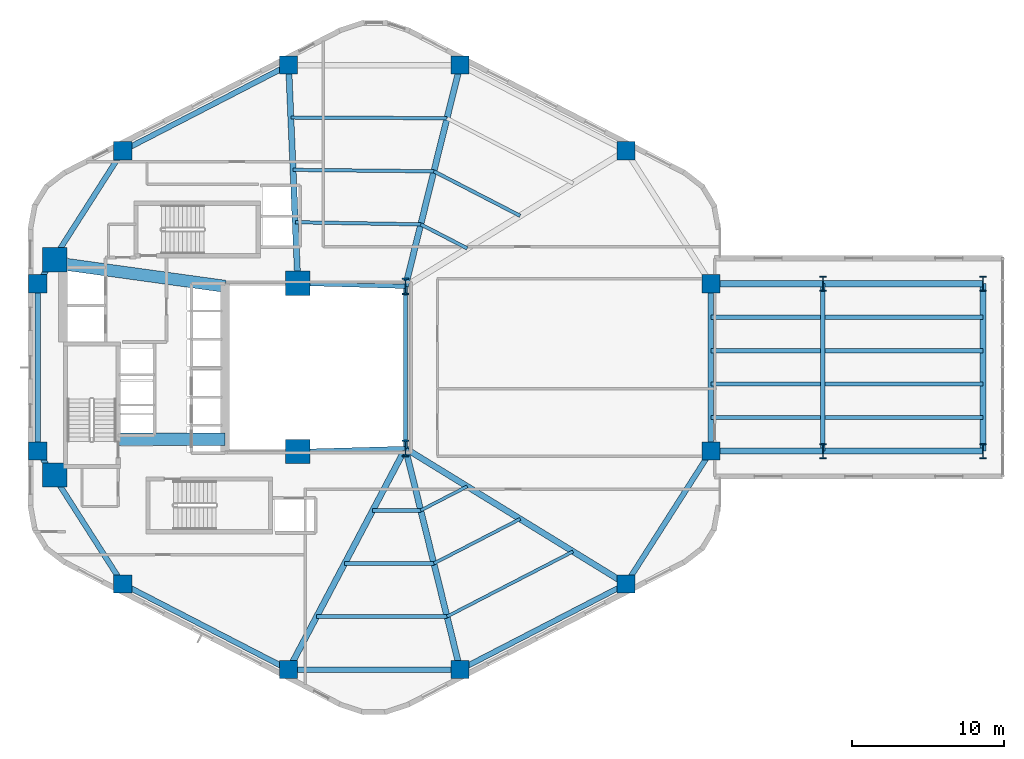
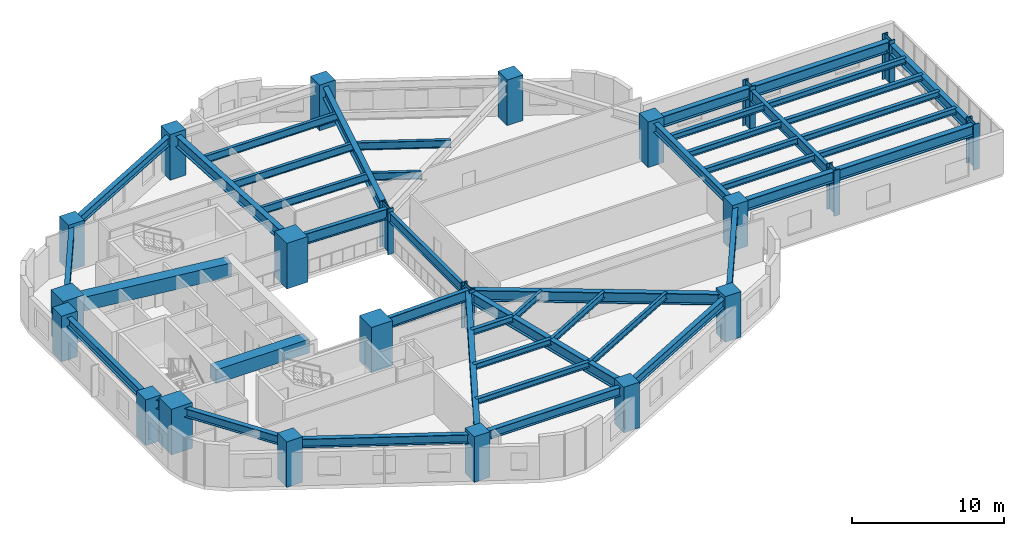
# One storey, part 1 of 10: 44 beams, 22 columns.
"""IFC4 building model written with IfcOpenShell, lengths in metres."""

from ifc_helpers import new_model, si_unit, direction, frame, origin, origin_2d, place, context, subcontext, project, spatial, rectangle, i_section, extrude, material, material_profile, profile_set, type_object, element, save


model = new_model("IFC4")

# Units and contexts
model_context = context("Model", 3, precision=1e-05, world=origin(), true_north=direction((0.0, 1.0)))
body_context = subcontext(model_context, "Body", "Model", "MODEL_VIEW")
ifc_project = project(units=[si_unit("LENGTHUNIT", "METRE"), si_unit("AREAUNIT", "SQUARE_METRE"), si_unit("VOLUMEUNIT", "CUBIC_METRE"), si_unit("PLANEANGLEUNIT", "RADIAN"), si_unit("MASSUNIT", "GRAM", prefix="KILO"), si_unit("THERMODYNAMICTEMPERATUREUNIT", "KELVIN"), si_unit("POWERUNIT", "WATT")], contexts=[model_context])

# Site, building, storey
site_placement = place(None, origin())
site = spatial("IfcSite", under=ifc_project, at=site_placement, CompositionType="ELEMENT")
building_placement = place(site_placement, origin())
building = spatial("IfcBuilding", under=site, at=building_placement, Name="Skarre Station Tower", CompositionType="ELEMENT")
storey_placement = place(building_placement, frame((0.0, 0.0, 59.85009765625)))
storey = spatial("IfcBuildingStorey", under=building, at=storey_placement, Name="L15", CompositionType="ELEMENT", Elevation=59.85009765625)

# Columns
ifc_material_1 = material(Name="Concrete C60/75", Category="concrete")
ifc_material_profile_1 = material_profile(ifc_material_1, rectangle(XDim=1.199951171875, YDim=1.199951171875, at=origin_2d()), Name="Concrete C60/75")
ifc_profile_set_1 = profile_set([ifc_material_profile_1], Name="Concrete C60/75")
column_type_1 = type_object("IfcColumnType", Name="RC Structural Column RC-COL-1200X1200", PredefinedType="COLUMN", material=ifc_profile_set_1)
for number, where, z_axis, x_axis, name in (
    (1, (54.007080078125, 38.298095703125, 0.0), (0.0, 0.0, 1.0), (1.0, 0.0, 0.0), "L15 Zone 1 Perimeter Column F0C1"),
    (2, (43.06005859375, 43.947021484375, 0.0), (0.0, 0.0, 1.0), (1.0, 0.0, 0.0), "L15 Zone 1 Perimeter Column F0C2"),
    (3, (31.739990234375, 43.947021484375, 0.0), (0.0, 0.0, 1.0), (1.0, 0.0, 0.0), "L15 Zone 1 Perimeter Column F1C1"),
    (4, (20.79296875, 38.298095703125, 0.0), (0.0, 0.0, 1.0), (1.0, 0.0, 0.0), "L15 Zone 1 Perimeter Column F1C2"),
    (5, (15.18701171875, 29.52099609375, 0.0), (0.0, 0.0, 1.0), (1.0, 0.0, 0.0), "L15 Zone 1 Perimeter Column F2C1"),
    (6, (15.18701171875, 18.47900390625, 0.0), (0.0, 0.0, 1.0), (1.0, 0.0, 0.0), "L15 Zone 1 Perimeter Column F2C2"),
    (7, (20.79296875, 9.701904296875, 0.0), (0.0, 0.0, 1.0), (1.0, 0.0, 0.0), "L15 Zone 1 Perimeter Column F3C1"),
    (8, (31.739990234375, 4.052978515625, 0.0), (0.0, 0.0, 1.0), (1.0, 0.0, 0.0), "L15 Zone 1 Perimeter Column F3C2"),
    (9, (43.06005859375, 4.052978515625, 0.0), (0.0, 0.0, 1.0), (1.0, 0.0, 0.0), "L15 Zone 1 Perimeter Column F4C1"),
    (10, (54.007080078125, 9.701904296875, 0.0), (0.0, 0.0, 1.0), (1.0, 0.0, 0.0), "L15 Zone 1 Perimeter Column F4C2"),
    (11, (59.613037109375, 18.47900390625, 0.0), (0.0, 0.0, 1.0), (1.0, 0.0, 0.0), "L15 Zone 1 Perimeter Column F5C1"),
    (12, (59.613037109375, 29.52099609375, 0.0), (0.0, 0.0, 1.0), (1.0, 0.0, 0.0), "L15 Zone 1 Perimeter Column F5C2"),
):
    element("IfcColumn", number, at=place(storey_placement, frame(where, z_axis=z_axis, x_axis=x_axis)), inside=storey, type_object=column_type_1, Name=name, PredefinedType="COLUMN", context=body_context, shape_type="SweptSolid", body=[
        extrude(rectangle(XDim=1.199951171875, YDim=1.199951171875, at=origin_2d()), origin(), (0.0, 0.0, 1.0), 3.64990234375),
    ])
ifc_material_2 = material(Name="Concrete C70/85", Category="concrete")
ifc_material_profile_2 = material_profile(ifc_material_2, rectangle(XDim=1.60009765625, YDim=1.60009765625, at=origin_2d()), Name="Concrete C70/85")
ifc_profile_set_2 = profile_set([ifc_material_profile_2], Name="Concrete C70/85")
column_type_2 = type_object("IfcColumnType", Name="RC Structural Column RC-COL-1600X1600", PredefinedType="COLUMN", material=ifc_profile_set_2)
for number, where, z_axis, x_axis, name in (
    (13, (16.300048828125, 16.89990234375, 0.0), (0.0, 0.0, 1.0), (1.0, 0.0, 0.0), "L15 Core Column CC-SW"),
    (14, (16.300048828125, 31.10009765625, 0.0), (0.0, 0.0, 1.0), (1.0, 0.0, 0.0), "L15 Core Column CC-NW"),
    (15, (32.35009765625, 18.449951171875, 0.0), (0.0, 0.0, 1.0), (1.0, 0.0, 0.0), "L15 Core Column CC-SE"),
    (16, (32.35009765625, 29.550048828125, 0.0), (0.0, 0.0, 1.0), (1.0, 0.0, 0.0), "L15 Core Column CC-NE"),
):
    element("IfcColumn", number, at=place(storey_placement, frame(where, z_axis=z_axis, x_axis=x_axis)), inside=storey, type_object=column_type_2, Name=name, PredefinedType="COLUMN", context=body_context, shape_type="SweptSolid", body=[
        extrude(rectangle(XDim=1.60009765625, YDim=1.60009765625, at=origin_2d()), origin(), (0.0, 0.0, 1.0), 3.64990234375),
    ])
ifc_material_3 = material(Name="Steel ASTM A913 Grade 65", Category="steel")
ifc_material_profile_3 = material_profile(ifc_material_3, i_section(OverallWidth=0.430908203125, OverallDepth=0.987060546875, WebThickness=0.033935546875, FlangeThickness=0.06201171875, at=origin_2d()), Name="Steel ASTM A913 Grade 65")
ifc_profile_set_3 = profile_set([ifc_material_profile_3], Name="Steel ASTM A913 Grade 65")
column_type_3 = type_object("IfcColumnType", Name="Steel Column W36X441", PredefinedType="COLUMN", material=ifc_profile_set_3)
for number, where, z_axis, x_axis, name in (
    (17, (66.992919921875, 18.47900390625, 0.0), (0.0, 0.0, 1.0), (1.0, 0.0, 0.0), "L15 SB-1 Sky-Bar Frame Column M1"),
    (18, (66.992919921875, 29.52099609375, 0.0), (0.0, 0.0, 1.0), (1.0, 0.0, 0.0), "L15 SB-1 Sky-Bar Frame Column M2"),
    (19, (77.56298828125, 18.47900390625, 0.0), (0.0, 0.0, 1.0), (1.0, 0.0, 0.0), "L15 SB-1 Sky-Bar Frame Column T1"),
    (20, (77.56298828125, 29.52099609375, 0.0), (0.0, 0.0, 1.0), (1.0, 0.0, 0.0), "L15 SB-1 Sky-Bar Frame Column T2"),
):
    element("IfcColumn", number, at=place(storey_placement, frame(where, z_axis=z_axis, x_axis=x_axis)), inside=storey, type_object=column_type_3, Name=name, PredefinedType="COLUMN", context=body_context, shape_type="SweptSolid", body=[
        extrude(i_section(OverallWidth=0.430908203125, OverallDepth=0.987060546875, WebThickness=0.033935546875, FlangeThickness=0.06201171875, at=origin_2d()), origin(), (0.0, 0.0, 1.0), 3.64990234375),
    ])
ifc_material_profile_4 = material_profile(ifc_material_3, i_section(OverallWidth=0.424072265625, OverallDepth=1.092041015625, WebThickness=0.044921875, FlangeThickness=0.08203125, at=origin_2d()), Name="Steel ASTM A913 Grade 65")
ifc_profile_set_4 = profile_set([ifc_material_profile_4], Name="Steel ASTM A913 Grade 65")
column_type_4 = type_object("IfcColumnType", Name="Steel Column W40X593", PredefinedType="COLUMN", material=ifc_profile_set_4)
for number, where, z_axis, x_axis, name in (
    (21, (39.449951171875, 18.64990234375, 0.0), (0.0, 0.0, 1.0), (1.0, 0.0, 0.0), "L15 Atrium Spine Column AC-SE"),
    (22, (39.449951171875, 29.35009765625, 0.0), (0.0, 0.0, 1.0), (1.0, 0.0, 0.0), "L15 Atrium Spine Column AC-NE"),
):
    element("IfcColumn", number, at=place(storey_placement, frame(where, z_axis=z_axis, x_axis=x_axis)), inside=storey, type_object=column_type_4, Name=name, PredefinedType="COLUMN", context=body_context, shape_type="SweptSolid", body=[
        extrude(i_section(OverallWidth=0.424072265625, OverallDepth=1.092041015625, WebThickness=0.044921875, FlangeThickness=0.08203125, at=origin_2d()), origin(), (0.0, 0.0, 1.0), 3.64990234375),
    ])

# Beams
ifc_material_profile_5 = material_profile(ifc_material_2, rectangle(XDim=0.800048828125, YDim=1.10009765625, at=origin_2d()), Name="Concrete C70/85")
ifc_profile_set_5 = profile_set([ifc_material_profile_5], Name="Concrete C70/85")
beam_type_1 = type_object("IfcBeamType", Name="RC Core Coupling Lintel 800x1100", PredefinedType="LINTEL", material=ifc_profile_set_5)
beam_1_placement = place(storey_placement, frame((20.489990234375, 19.260009765625, 2.83984375), z_axis=(1.0, 0.0, 0.0), x_axis=(0.0, 1.0, 0.0)))
element("IfcBeam", 23, at=beam_1_placement, inside=storey, type_object=beam_type_1, Name="L15 South Core Coupling Lintel", PredefinedType="LINTEL", context=body_context, shape_type="SweptSolid", body=[
    extrude(rectangle(XDim=0.800048828125, YDim=1.10009765625, at=origin_2d()), origin(), (0.0, 0.0, 1.0), 7.06005859375),
])
beam_2_placement = place(storey_placement, frame((17.050048828125, 30.800048828125, 2.83984375), z_axis=(0.990599723633, -0.136792498109, 0.0), x_axis=(0.136792498109, 0.990599723633, 0.0)))
element("IfcBeam", 24, at=beam_2_placement, inside=storey, type_object=beam_type_1, Name="L15 North Core Coupling Lintel", PredefinedType="LINTEL", context=body_context, shape_type="SweptSolid", body=[
    extrude(rectangle(XDim=0.800048828125, YDim=1.10009765625, at=origin_2d()), origin(), (0.0, 0.0, 1.0), 10.599609375),
])
ifc_material_4 = material(Name="Steel ASTM A992 Grade 50", Category="steel")
ifc_material_profile_6 = material_profile(ifc_material_4, i_section(OverallWidth=0.26806640625, OverallDepth=0.77001953125, WebThickness=0.01611328125, FlangeThickness=0.02490234375, at=origin_2d()), Name="Steel ASTM A992 Grade 50")
ifc_profile_set_6 = profile_set([ifc_material_profile_6], Name="Steel ASTM A992 Grade 50")
beam_type_2 = type_object("IfcBeamType", Name="Steel Beam W30X132", PredefinedType="BEAM", material=ifc_profile_set_6)
beam_3_placement = place(storey_placement, frame((39.449951171875, 18.64990234375, 3.0048828125), z_axis=(0.0, 1.0, 0.0), x_axis=(-1.0, 0.0, 0.0)))
element("IfcBeam", 25, at=beam_3_placement, inside=storey, type_object=beam_type_2, Name="L15 Atrium East Edge Girder", PredefinedType="BEAM", context=body_context, shape_type="SweptSolid", body=[
    extrude(i_section(OverallWidth=0.26806640625, OverallDepth=0.77001953125, WebThickness=0.01611328125, FlangeThickness=0.02490234375, at=origin_2d()), origin(), (0.0, 0.0, 1.0), 10.7001953125),
])
ifc_material_profile_7 = material_profile(ifc_material_4, i_section(OverallWidth=0.2919921875, OverallDepth=0.85888671875, WebThickness=0.01708984375, FlangeThickness=0.031005859375, at=origin_2d()), Name="Steel ASTM A992 Grade 50")
ifc_profile_set_7 = profile_set([ifc_material_profile_7], Name="Steel ASTM A992 Grade 50")
beam_type_3 = type_object("IfcBeamType", Name="Steel Beam W33X169", PredefinedType="BEAM", material=ifc_profile_set_7)
for number, where, z_axis, x_axis, name in (
    (26, (32.35009765625, 18.449951171875, 2.9609375), (0.999603666405, 0.028151556095, 0.0), (-0.028151556095, 0.999603666405, 0.0), "L15 Atrium South Edge Girder"),
    (27, (32.35009765625, 29.550048828125, 2.9609375), (0.999603666405, -0.028151556095, 0.0), (0.028151556095, 0.999603666405, 0.0), "L15 Atrium North Edge Girder"),
):
    element("IfcBeam", number, at=place(storey_placement, frame(where, z_axis=z_axis, x_axis=x_axis)), inside=storey, type_object=beam_type_3, Name=name, PredefinedType="BEAM", context=body_context, shape_type="SweptSolid", body=[
        extrude(i_section(OverallWidth=0.2919921875, OverallDepth=0.85888671875, WebThickness=0.01708984375, FlangeThickness=0.031005859375, at=origin_2d()), origin(), (0.0, 0.0, 1.0), 7.102783203125),
    ])
beam_4_placement = place(storey_placement, frame((66.992919921875, 18.47900390625, 2.935791015625), z_axis=(0.0, 1.0, 0.0), x_axis=(-1.0, 0.0, 0.0)))
element("IfcBeam", 28, at=beam_4_placement, inside=storey, type_object=beam_type_3, Name="L15 SB-1 Mid Transverse Girder", PredefinedType="BEAM", context=body_context, shape_type="SweptSolid", body=[
    extrude(i_section(OverallWidth=0.2919921875, OverallDepth=0.85888671875, WebThickness=0.01708984375, FlangeThickness=0.031005859375, at=origin_2d()), origin(), (0.0, 0.0, 1.0), 11.0419921875),
])
ifc_material_profile_8 = material_profile(ifc_material_4, i_section(OverallWidth=0.40087890625, OverallDepth=0.876953125, WebThickness=0.02197265625, FlangeThickness=0.0400390625, at=origin_2d()), Name="Steel ASTM A992 Grade 50")
ifc_profile_set_8 = profile_set([ifc_material_profile_8], Name="Steel ASTM A992 Grade 50")
beam_type_4 = type_object("IfcBeamType", Name="Steel Beam W33X263", PredefinedType="BEAM", material=ifc_profile_set_8)
beam_5_placement = place(storey_placement, frame((39.449951171875, 29.35009765625, 2.951904296875), z_axis=(0.240086037639, 0.9707516132, 0.0), x_axis=(-0.9707516132, 0.240086037639, 0.0)))
element("IfcBeam", 29, at=beam_5_placement, inside=storey, type_object=beam_type_4, Name="L15 Radial Floor Girder F0C2", PredefinedType="BEAM", context=body_context, shape_type="SweptSolid", body=[
    extrude(i_section(OverallWidth=0.40087890625, OverallDepth=0.876953125, WebThickness=0.02197265625, FlangeThickness=0.0400390625, at=origin_2d()), origin(), (0.0, 0.0, 1.0), 15.03662109375),
])
beam_6_placement = place(storey_placement, frame((32.35009765625, 29.550048828125, 2.951904296875), z_axis=(-0.042339479433, 0.999103282189, 0.0), x_axis=(-0.999103282189, -0.042339479433, 0.0)))
element("IfcBeam", 30, at=beam_6_placement, inside=storey, type_object=beam_type_4, Name="L15 Radial Floor Girder F1C1", PredefinedType="BEAM", context=body_context, shape_type="SweptSolid", body=[
    extrude(i_section(OverallWidth=0.40087890625, OverallDepth=0.876953125, WebThickness=0.02197265625, FlangeThickness=0.0400390625, at=origin_2d()), origin(), (0.0, 0.0, 1.0), 14.409912109375),
])
beam_7_placement = place(storey_placement, frame((39.449951171875, 18.64990234375, 2.951904296875), z_axis=(-0.467044240884, -0.884233949279, 0.0), x_axis=(0.884233949279, -0.467044240884, 0.0)))
element("IfcBeam", 31, at=beam_7_placement, inside=storey, type_object=beam_type_4, Name="L15 Radial Floor Girder F3C2", PredefinedType="BEAM", context=body_context, shape_type="SweptSolid", body=[
    extrude(i_section(OverallWidth=0.40087890625, OverallDepth=0.876953125, WebThickness=0.02197265625, FlangeThickness=0.0400390625, at=origin_2d()), origin(), (0.0, 0.0, 1.0), 16.508056640625),
])
beam_8_placement = place(storey_placement, frame((39.449951171875, 18.64990234375, 2.951904296875), z_axis=(0.240086037639, -0.9707516132, 0.0), x_axis=(0.9707516132, 0.240086037639, 0.0)))
element("IfcBeam", 32, at=beam_8_placement, inside=storey, type_object=beam_type_4, Name="L15 Radial Floor Girder F4C1", PredefinedType="BEAM", context=body_context, shape_type="SweptSolid", body=[
    extrude(i_section(OverallWidth=0.40087890625, OverallDepth=0.876953125, WebThickness=0.02197265625, FlangeThickness=0.0400390625, at=origin_2d()), origin(), (0.0, 0.0, 1.0), 15.03662109375),
])
beam_9_placement = place(storey_placement, frame((39.449951171875, 18.64990234375, 2.951904296875), z_axis=(0.851925565957, -0.523662897358, 0.0), x_axis=(0.523662897358, 0.851925565957, 0.0)))
element("IfcBeam", 33, at=beam_9_placement, inside=storey, type_object=beam_type_4, Name="L15 Radial Floor Girder F4C2", PredefinedType="BEAM", context=body_context, shape_type="SweptSolid", body=[
    extrude(i_section(OverallWidth=0.40087890625, OverallDepth=0.876953125, WebThickness=0.02197265625, FlangeThickness=0.0400390625, at=origin_2d()), origin(), (0.0, 0.0, 1.0), 17.08740234375),
])
beam_10_placement = place(storey_placement, frame((59.613037109375, 18.47900390625, 2.927001953125), z_axis=(1.0, 0.0, 0.0), x_axis=(0.0, 1.0, 0.0)))
element("IfcBeam", 34, at=beam_10_placement, inside=storey, type_object=beam_type_4, Name="L15 SB-1 Side 1 Inner Girder", PredefinedType="BEAM", context=body_context, shape_type="SweptSolid", body=[
    extrude(i_section(OverallWidth=0.40087890625, OverallDepth=0.876953125, WebThickness=0.02197265625, FlangeThickness=0.0400390625, at=origin_2d()), origin(), (0.0, 0.0, 1.0), 7.3798828125),
])
beam_11_placement = place(storey_placement, frame((66.992919921875, 18.47900390625, 2.927001953125), z_axis=(1.0, 0.0, 0.0), x_axis=(0.0, 1.0, 0.0)))
element("IfcBeam", 35, at=beam_11_placement, inside=storey, type_object=beam_type_4, Name="L15 SB-1 Side 1 Outer Girder", PredefinedType="BEAM", context=body_context, shape_type="SweptSolid", body=[
    extrude(i_section(OverallWidth=0.40087890625, OverallDepth=0.876953125, WebThickness=0.02197265625, FlangeThickness=0.0400390625, at=origin_2d()), origin(), (0.0, 0.0, 1.0), 10.570068359375),
])
beam_12_placement = place(storey_placement, frame((59.613037109375, 29.52099609375, 2.927001953125), z_axis=(1.0, 0.0, 0.0), x_axis=(0.0, 1.0, 0.0)))
element("IfcBeam", 36, at=beam_12_placement, inside=storey, type_object=beam_type_4, Name="L15 SB-1 Side 2 Inner Girder", PredefinedType="BEAM", context=body_context, shape_type="SweptSolid", body=[
    extrude(i_section(OverallWidth=0.40087890625, OverallDepth=0.876953125, WebThickness=0.02197265625, FlangeThickness=0.0400390625, at=origin_2d()), origin(), (0.0, 0.0, 1.0), 7.3798828125),
])
beam_13_placement = place(storey_placement, frame((66.992919921875, 29.52099609375, 2.927001953125), z_axis=(1.0, 0.0, 0.0), x_axis=(0.0, 1.0, 0.0)))
element("IfcBeam", 37, at=beam_13_placement, inside=storey, type_object=beam_type_4, Name="L15 SB-1 Side 2 Outer Girder", PredefinedType="BEAM", context=body_context, shape_type="SweptSolid", body=[
    extrude(i_section(OverallWidth=0.40087890625, OverallDepth=0.876953125, WebThickness=0.02197265625, FlangeThickness=0.0400390625, at=origin_2d()), origin(), (0.0, 0.0, 1.0), 10.570068359375),
])
ifc_material_profile_9 = material_profile(ifc_material_4, i_section(OverallWidth=0.280029296875, OverallDepth=0.462890625, WebThickness=0.010986328125, FlangeThickness=0.01708984375, at=origin_2d()), Name="Steel ASTM A992 Grade 50")
ifc_profile_set_9 = profile_set([ifc_material_profile_9], Name="Steel ASTM A992 Grade 50")
beam_type_5 = type_object("IfcBeamType", Name="Steel Joist W18X76", PredefinedType="JOIST", material=ifc_profile_set_9)
beam_14_placement = place(storey_placement, frame((37.291015625, 14.56298828125, 3.158935546875), z_axis=(1.0, 0.0, 0.0), x_axis=(0.0, 1.0, 0.0)))
element("IfcBeam", 38, at=beam_14_placement, inside=storey, type_object=beam_type_5, Name="L15 Auxiliary Composite Joist 7", PredefinedType="JOIST", context=body_context, shape_type="SweptSolid", body=[
    extrude(i_section(OverallWidth=0.280029296875, OverallDepth=0.462890625, WebThickness=0.010986328125, FlangeThickness=0.01708984375, at=origin_2d()), origin(), (0.0, 0.0, 1.0), 3.169921875),
])
beam_15_placement = place(storey_placement, frame((35.44091796875, 11.06005859375, 3.158935546875), z_axis=(1.0, 0.0, 0.0), x_axis=(0.0, 1.0, 0.0)))
element("IfcBeam", 39, at=beam_15_placement, inside=storey, type_object=beam_type_5, Name="L15 Auxiliary Composite Joist 8", PredefinedType="JOIST", context=body_context, shape_type="SweptSolid", body=[
    extrude(i_section(OverallWidth=0.280029296875, OverallDepth=0.462890625, WebThickness=0.010986328125, FlangeThickness=0.01708984375, at=origin_2d()), origin(), (0.0, 0.0, 1.0), 5.885986328125),
])
beam_16_placement = place(storey_placement, frame((33.590087890625, 7.555908203125, 3.158935546875), z_axis=(1.0, 0.0, 0.0), x_axis=(0.0, 1.0, 0.0)))
element("IfcBeam", 40, at=beam_16_placement, inside=storey, type_object=beam_type_5, Name="L15 Auxiliary Composite Joist 9", PredefinedType="JOIST", context=body_context, shape_type="SweptSolid", body=[
    extrude(i_section(OverallWidth=0.280029296875, OverallDepth=0.462890625, WebThickness=0.010986328125, FlangeThickness=0.01708984375, at=origin_2d()), origin(), (0.0, 0.0, 1.0), 8.60400390625),
])
beam_17_placement = place(storey_placement, frame((59.613037109375, 20.68701171875, 3.1337890625), z_axis=(1.0, 0.0, 0.0), x_axis=(0.0, 1.0, 0.0)))
element("IfcBeam", 41, at=beam_17_placement, inside=storey, type_object=beam_type_5, Name="L15 SB-1 Inner Deck Joist 1", PredefinedType="JOIST", context=body_context, shape_type="SweptSolid", body=[
    extrude(i_section(OverallWidth=0.280029296875, OverallDepth=0.462890625, WebThickness=0.010986328125, FlangeThickness=0.01708984375, at=origin_2d()), origin(), (0.0, 0.0, 1.0), 7.236083984375),
])
beam_18_placement = place(storey_placement, frame((67.136962890625, 20.68701171875, 3.1337890625), z_axis=(1.0, 0.0, 0.0), x_axis=(0.0, 1.0, 0.0)))
element("IfcBeam", 42, at=beam_18_placement, inside=storey, type_object=beam_type_5, Name="L15 SB-1 Outer Deck Joist 1", PredefinedType="JOIST", context=body_context, shape_type="SweptSolid", body=[
    extrude(i_section(OverallWidth=0.280029296875, OverallDepth=0.462890625, WebThickness=0.010986328125, FlangeThickness=0.01708984375, at=origin_2d()), origin(), (0.0, 0.0, 1.0), 10.426025390625),
])
beam_19_placement = place(storey_placement, frame((59.613037109375, 22.89599609375, 3.1337890625), z_axis=(1.0, 0.0, 0.0), x_axis=(0.0, 1.0, 0.0)))
element("IfcBeam", 43, at=beam_19_placement, inside=storey, type_object=beam_type_5, Name="L15 SB-1 Inner Deck Joist 2", PredefinedType="JOIST", context=body_context, shape_type="SweptSolid", body=[
    extrude(i_section(OverallWidth=0.280029296875, OverallDepth=0.462890625, WebThickness=0.010986328125, FlangeThickness=0.01708984375, at=origin_2d()), origin(), (0.0, 0.0, 1.0), 7.236083984375),
])
beam_20_placement = place(storey_placement, frame((67.136962890625, 22.89599609375, 3.1337890625), z_axis=(1.0, 0.0, 0.0), x_axis=(0.0, 1.0, 0.0)))
element("IfcBeam", 44, at=beam_20_placement, inside=storey, type_object=beam_type_5, Name="L15 SB-1 Outer Deck Joist 2", PredefinedType="JOIST", context=body_context, shape_type="SweptSolid", body=[
    extrude(i_section(OverallWidth=0.280029296875, OverallDepth=0.462890625, WebThickness=0.010986328125, FlangeThickness=0.01708984375, at=origin_2d()), origin(), (0.0, 0.0, 1.0), 10.426025390625),
])
beam_21_placement = place(storey_placement, frame((59.613037109375, 25.10400390625, 3.1337890625), z_axis=(1.0, 0.0, 0.0), x_axis=(0.0, 1.0, 0.0)))
element("IfcBeam", 45, at=beam_21_placement, inside=storey, type_object=beam_type_5, Name="L15 SB-1 Inner Deck Joist 3", PredefinedType="JOIST", context=body_context, shape_type="SweptSolid", body=[
    extrude(i_section(OverallWidth=0.280029296875, OverallDepth=0.462890625, WebThickness=0.010986328125, FlangeThickness=0.01708984375, at=origin_2d()), origin(), (0.0, 0.0, 1.0), 7.236083984375),
])
beam_22_placement = place(storey_placement, frame((67.136962890625, 25.10400390625, 3.1337890625), z_axis=(1.0, 0.0, 0.0), x_axis=(0.0, 1.0, 0.0)))
element("IfcBeam", 46, at=beam_22_placement, inside=storey, type_object=beam_type_5, Name="L15 SB-1 Outer Deck Joist 3", PredefinedType="JOIST", context=body_context, shape_type="SweptSolid", body=[
    extrude(i_section(OverallWidth=0.280029296875, OverallDepth=0.462890625, WebThickness=0.010986328125, FlangeThickness=0.01708984375, at=origin_2d()), origin(), (0.0, 0.0, 1.0), 10.426025390625),
])
beam_23_placement = place(storey_placement, frame((59.613037109375, 27.31298828125, 3.1337890625), z_axis=(1.0, 0.0, 0.0), x_axis=(0.0, 1.0, 0.0)))
element("IfcBeam", 47, at=beam_23_placement, inside=storey, type_object=beam_type_5, Name="L15 SB-1 Inner Deck Joist 4", PredefinedType="JOIST", context=body_context, shape_type="SweptSolid", body=[
    extrude(i_section(OverallWidth=0.280029296875, OverallDepth=0.462890625, WebThickness=0.010986328125, FlangeThickness=0.01708984375, at=origin_2d()), origin(), (0.0, 0.0, 1.0), 7.236083984375),
])
beam_24_placement = place(storey_placement, frame((67.136962890625, 27.31298828125, 3.1337890625), z_axis=(1.0, 0.0, 0.0), x_axis=(0.0, 1.0, 0.0)))
element("IfcBeam", 48, at=beam_24_placement, inside=storey, type_object=beam_type_5, Name="L15 SB-1 Outer Deck Joist 4", PredefinedType="JOIST", context=body_context, shape_type="SweptSolid", body=[
    extrude(i_section(OverallWidth=0.280029296875, OverallDepth=0.462890625, WebThickness=0.010986328125, FlangeThickness=0.01708984375, at=origin_2d()), origin(), (0.0, 0.0, 1.0), 10.426025390625),
])
ifc_material_profile_10 = material_profile(ifc_material_4, i_section(OverallWidth=0.208984375, OverallDepth=0.532958984375, WebThickness=0.010009765625, FlangeThickness=0.01611328125, at=origin_2d()), Name="Steel ASTM A992 Grade 50")
ifc_profile_set_10 = profile_set([ifc_material_profile_10], Name="Steel ASTM A992 Grade 50")
beam_type_6 = type_object("IfcBeamType", Name="Steel Joist W21X62", PredefinedType="JOIST", material=ifc_profile_set_10)
beam_25_placement = place(storey_placement, frame((40.4609375, 14.56298828125, 3.1240234375), z_axis=(0.888605767214, 0.458671767687, 0.0), x_axis=(-0.458671767687, 0.888605767214, 0.0)))
element("IfcBeam", 49, at=beam_25_placement, inside=storey, type_object=beam_type_6, Name="L15 Auxiliary Composite Joist 10", PredefinedType="JOIST", context=body_context, shape_type="SweptSolid", body=[
    extrude(i_section(OverallWidth=0.208984375, OverallDepth=0.532958984375, WebThickness=0.010009765625, FlangeThickness=0.01611328125, at=origin_2d()), origin(), (0.0, 0.0, 1.0), 3.44921875),
])
beam_26_placement = place(storey_placement, frame((41.326904296875, 11.06005859375, 3.1240234375), z_axis=(0.888707823182, 0.458473996007, 0.0), x_axis=(-0.458473996007, 0.888707823182, 0.0)))
element("IfcBeam", 50, at=beam_26_placement, inside=storey, type_object=beam_type_6, Name="L15 Auxiliary Composite Joist 11", PredefinedType="JOIST", context=body_context, shape_type="SweptSolid", body=[
    extrude(i_section(OverallWidth=0.208984375, OverallDepth=0.532958984375, WebThickness=0.010009765625, FlangeThickness=0.01611328125, at=origin_2d()), origin(), (0.0, 0.0, 1.0), 6.406005859375),
])
beam_27_placement = place(storey_placement, frame((42.194091796875, 7.555908203125, 3.1240234375), z_axis=(0.888594941555, 0.458692740125, 0.0), x_axis=(-0.458692740125, 0.888594941555, 0.0)))
element("IfcBeam", 51, at=beam_27_placement, inside=storey, type_object=beam_type_6, Name="L15 Auxiliary Composite Joist 12", PredefinedType="JOIST", context=body_context, shape_type="SweptSolid", body=[
    extrude(i_section(OverallWidth=0.208984375, OverallDepth=0.532958984375, WebThickness=0.010009765625, FlangeThickness=0.01611328125, at=origin_2d()), origin(), (0.0, 0.0, 1.0), 9.36181640625),
])
ifc_material_profile_11 = material_profile(ifc_material_4, i_section(OverallWidth=0.22802734375, OverallDepth=0.60791015625, WebThickness=0.010986328125, FlangeThickness=0.01708984375, at=origin_2d()), Name="Steel ASTM A992 Grade 50")
ifc_profile_set_11 = profile_set([ifc_material_profile_11], Name="Steel ASTM A992 Grade 50")
beam_type_7 = type_object("IfcBeamType", Name="Steel Joist W24X76", PredefinedType="JOIST", material=ifc_profile_set_11)
beam_28_placement = place(storey_placement, frame((43.52587890625, 31.85498046875, 3.0859375), z_axis=(-0.888605767214, 0.458671767687, 0.0), x_axis=(-0.458671767687, -0.888605767214, 0.0)))
element("IfcBeam", 52, at=beam_28_placement, inside=storey, type_object=beam_type_7, Name="L15 Secondary Floor Joist 1", PredefinedType="JOIST", context=body_context, shape_type="SweptSolid", body=[
    extrude(i_section(OverallWidth=0.22802734375, OverallDepth=0.60791015625, WebThickness=0.010986328125, FlangeThickness=0.01708984375, at=origin_2d()), origin(), (0.0, 0.0, 1.0), 3.44921875),
])
beam_29_placement = place(storey_placement, frame((47.02001953125, 34.0029296875, 3.0859375), z_axis=(-0.888707823182, 0.458473996007, 0.0), x_axis=(-0.458473996007, -0.888707823182, 0.0)))
element("IfcBeam", 53, at=beam_29_placement, inside=storey, type_object=beam_type_7, Name="L15 Secondary Floor Joist 2", PredefinedType="JOIST", context=body_context, shape_type="SweptSolid", body=[
    extrude(i_section(OverallWidth=0.22802734375, OverallDepth=0.60791015625, WebThickness=0.010986328125, FlangeThickness=0.01708984375, at=origin_2d()), origin(), (0.0, 0.0, 1.0), 6.406005859375),
])
beam_30_placement = place(storey_placement, frame((40.4609375, 33.43701171875, 3.0859375), z_axis=(-0.999848787739, 0.017389699754, 0.0), x_axis=(-0.017389699754, -0.999848787739, 0.0)))
element("IfcBeam", 54, at=beam_30_placement, inside=storey, type_object=beam_type_7, Name="L15 Secondary Floor Joist 4", PredefinedType="JOIST", context=body_context, shape_type="SweptSolid", body=[
    extrude(i_section(OverallWidth=0.22802734375, OverallDepth=0.60791015625, WebThickness=0.010986328125, FlangeThickness=0.01708984375, at=origin_2d()), origin(), (0.0, 0.0, 1.0), 8.283203125),
])
beam_31_placement = place(storey_placement, frame((41.326904296875, 36.93994140625, 3.0859375), z_axis=(-0.999946715577, 0.010323081308, 0.0), x_axis=(-0.010323081308, -0.999946715577, 0.0)))
element("IfcBeam", 55, at=beam_31_placement, inside=storey, type_object=beam_type_7, Name="L15 Secondary Floor Joist 5", PredefinedType="JOIST", context=body_context, shape_type="SweptSolid", body=[
    extrude(i_section(OverallWidth=0.22802734375, OverallDepth=0.60791015625, WebThickness=0.010986328125, FlangeThickness=0.01708984375, at=origin_2d()), origin(), (0.0, 0.0, 1.0), 9.29443359375),
])
beam_32_placement = place(storey_placement, frame((42.194091796875, 40.444091796875, 3.0859375), z_axis=(-0.99998922549, 0.004642079679, 0.0), x_axis=(-0.004642079679, -0.99998922549, 0.0)))
element("IfcBeam", 56, at=beam_32_placement, inside=storey, type_object=beam_type_7, Name="L15 Secondary Floor Joist 6", PredefinedType="JOIST", context=body_context, shape_type="SweptSolid", body=[
    extrude(i_section(OverallWidth=0.22802734375, OverallDepth=0.60791015625, WebThickness=0.010986328125, FlangeThickness=0.01708984375, at=origin_2d()), origin(), (0.0, 0.0, 1.0), 10.30810546875),
])
ifc_material_profile_12 = material_profile(ifc_material_4, i_section(OverallWidth=0.35791015625, OverallDepth=0.7060546875, WebThickness=0.01806640625, FlangeThickness=0.030029296875, at=origin_2d()), Name="Steel ASTM A992 Grade 50")
ifc_profile_set_12 = profile_set([ifc_material_profile_12], Name="Steel ASTM A992 Grade 50")
beam_type_8 = type_object("IfcBeamType", Name="Steel Spandrel W27X178", PredefinedType="SPANDREL", material=ifc_profile_set_12)
beam_33_placement = place(storey_placement, frame((31.739990234375, 43.947021484375, 3.036865234375), z_axis=(-0.888658695823, -0.458569212158, 0.0), x_axis=(0.458569212158, -0.888658695823, 0.0)))
element("IfcBeam", 57, at=beam_33_placement, inside=storey, type_object=beam_type_8, Name="L15 Facet Spandrel Beam 3", PredefinedType="SPANDREL", context=body_context, shape_type="SweptSolid", body=[
    extrude(i_section(OverallWidth=0.35791015625, OverallDepth=0.7060546875, WebThickness=0.01806640625, FlangeThickness=0.030029296875, at=origin_2d()), origin(), (0.0, 0.0, 1.0), 12.318603515625),
])
beam_34_placement = place(storey_placement, frame((20.79296875, 38.298095703125, 3.036865234375), z_axis=(-0.538277829225, -0.842767452246, 0.0), x_axis=(0.842767452246, -0.538277829225, 0.0)))
element("IfcBeam", 58, at=beam_34_placement, inside=storey, type_object=beam_type_8, Name="L15 Facet Spandrel Beam 4", PredefinedType="SPANDREL", context=body_context, shape_type="SweptSolid", body=[
    extrude(i_section(OverallWidth=0.35791015625, OverallDepth=0.7060546875, WebThickness=0.01806640625, FlangeThickness=0.030029296875, at=origin_2d()), origin(), (0.0, 0.0, 1.0), 10.41455078125),
])
beam_35_placement = place(storey_placement, frame((15.18701171875, 29.52099609375, 3.036865234375), z_axis=(0.0, -1.0, 0.0), x_axis=(1.0, 0.0, 0.0)))
element("IfcBeam", 59, at=beam_35_placement, inside=storey, type_object=beam_type_8, Name="L15 Facet Spandrel Beam 5", PredefinedType="SPANDREL", context=body_context, shape_type="SweptSolid", body=[
    extrude(i_section(OverallWidth=0.35791015625, OverallDepth=0.7060546875, WebThickness=0.01806640625, FlangeThickness=0.030029296875, at=origin_2d()), origin(), (0.0, 0.0, 1.0), 11.0419921875),
])
beam_36_placement = place(storey_placement, frame((15.18701171875, 18.47900390625, 3.036865234375), z_axis=(0.538277829225, -0.842767452246, 0.0), x_axis=(0.842767452246, 0.538277829225, 0.0)))
element("IfcBeam", 60, at=beam_36_placement, inside=storey, type_object=beam_type_8, Name="L15 Facet Spandrel Beam 6", PredefinedType="SPANDREL", context=body_context, shape_type="SweptSolid", body=[
    extrude(i_section(OverallWidth=0.35791015625, OverallDepth=0.7060546875, WebThickness=0.01806640625, FlangeThickness=0.030029296875, at=origin_2d()), origin(), (0.0, 0.0, 1.0), 10.41455078125),
])
beam_37_placement = place(storey_placement, frame((20.79296875, 9.701904296875, 3.036865234375), z_axis=(0.888658695823, -0.458569212158, 0.0), x_axis=(0.458569212158, 0.888658695823, 0.0)))
element("IfcBeam", 61, at=beam_37_placement, inside=storey, type_object=beam_type_8, Name="L15 Facet Spandrel Beam 7", PredefinedType="SPANDREL", context=body_context, shape_type="SweptSolid", body=[
    extrude(i_section(OverallWidth=0.35791015625, OverallDepth=0.7060546875, WebThickness=0.01806640625, FlangeThickness=0.030029296875, at=origin_2d()), origin(), (0.0, 0.0, 1.0), 12.318603515625),
])
beam_38_placement = place(storey_placement, frame((31.739990234375, 4.052978515625, 3.036865234375), z_axis=(1.0, 0.0, 0.0), x_axis=(0.0, 1.0, 0.0)))
element("IfcBeam", 62, at=beam_38_placement, inside=storey, type_object=beam_type_8, Name="L15 Facet Spandrel Beam 8", PredefinedType="SPANDREL", context=body_context, shape_type="SweptSolid", body=[
    extrude(i_section(OverallWidth=0.35791015625, OverallDepth=0.7060546875, WebThickness=0.01806640625, FlangeThickness=0.030029296875, at=origin_2d()), origin(), (0.0, 0.0, 1.0), 11.320068359375),
])
beam_39_placement = place(storey_placement, frame((43.06005859375, 4.052978515625, 3.036865234375), z_axis=(0.888658695823, 0.458569212158, 0.0), x_axis=(-0.458569212158, 0.888658695823, 0.0)))
element("IfcBeam", 63, at=beam_39_placement, inside=storey, type_object=beam_type_8, Name="L15 Facet Spandrel Beam 9", PredefinedType="SPANDREL", context=body_context, shape_type="SweptSolid", body=[
    extrude(i_section(OverallWidth=0.35791015625, OverallDepth=0.7060546875, WebThickness=0.01806640625, FlangeThickness=0.030029296875, at=origin_2d()), origin(), (0.0, 0.0, 1.0), 12.318603515625),
])
beam_40_placement = place(storey_placement, frame((54.007080078125, 9.701904296875, 3.036865234375), z_axis=(0.538277829225, 0.842767452246, 0.0), x_axis=(-0.842767452246, 0.538277829225, 0.0)))
element("IfcBeam", 64, at=beam_40_placement, inside=storey, type_object=beam_type_8, Name="L15 Facet Spandrel Beam 10", PredefinedType="SPANDREL", context=body_context, shape_type="SweptSolid", body=[
    extrude(i_section(OverallWidth=0.35791015625, OverallDepth=0.7060546875, WebThickness=0.01806640625, FlangeThickness=0.030029296875, at=origin_2d()), origin(), (0.0, 0.0, 1.0), 10.41455078125),
])
beam_41_placement = place(storey_placement, frame((59.613037109375, 18.47900390625, 3.036865234375), z_axis=(0.0, 1.0, 0.0), x_axis=(-1.0, 0.0, 0.0)))
element("IfcBeam", 65, at=beam_41_placement, inside=storey, type_object=beam_type_8, Name="L15 Facet Spandrel Beam 11", PredefinedType="SPANDREL", context=body_context, shape_type="SweptSolid", body=[
    extrude(i_section(OverallWidth=0.35791015625, OverallDepth=0.7060546875, WebThickness=0.01806640625, FlangeThickness=0.030029296875, at=origin_2d()), origin(), (0.0, 0.0, 1.0), 11.0419921875),
])
ifc_material_profile_13 = material_profile(ifc_material_4, i_section(OverallWidth=0.384033203125, OverallDepth=0.785888671875, WebThickness=0.02001953125, FlangeThickness=0.032958984375, at=origin_2d()), Name="Steel ASTM A992 Grade 50")
ifc_profile_set_13 = profile_set([ifc_material_profile_13], Name="Steel ASTM A992 Grade 50")
beam_type_9 = type_object("IfcBeamType", Name="Steel Spandrel W30X211", PredefinedType="SPANDREL", material=ifc_profile_set_13)
beam_42_placement = place(storey_placement, frame((77.56298828125, 18.47900390625, 2.971923828125), z_axis=(0.0, 1.0, 0.0), x_axis=(-1.0, 0.0, 0.0)))
element("IfcBeam", 66, at=beam_42_placement, inside=storey, type_object=beam_type_9, Name="L15 SB-1 Prow Spandrel Girder", PredefinedType="SPANDREL", context=body_context, shape_type="SweptSolid", body=[
    extrude(i_section(OverallWidth=0.384033203125, OverallDepth=0.785888671875, WebThickness=0.02001953125, FlangeThickness=0.032958984375, at=origin_2d()), origin(), (0.0, 0.0, 1.0), 11.0419921875),
])

save(model, "model.ifc")
